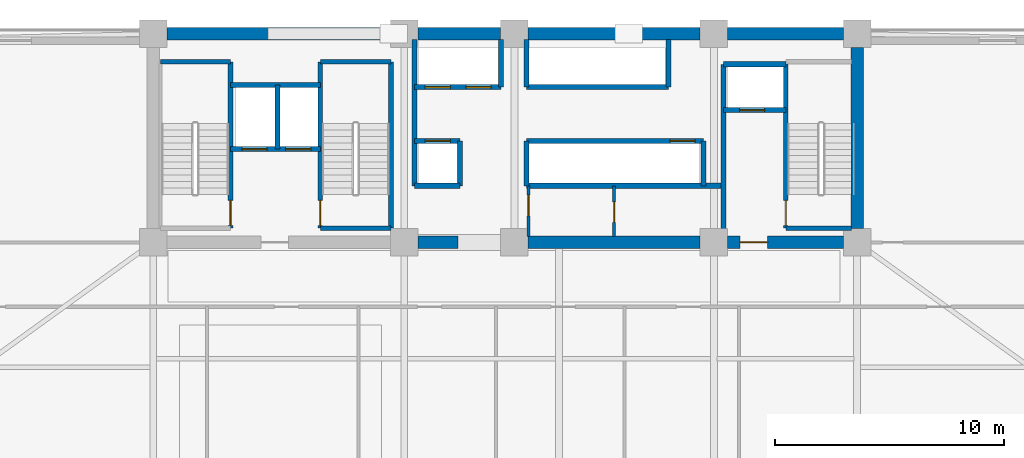
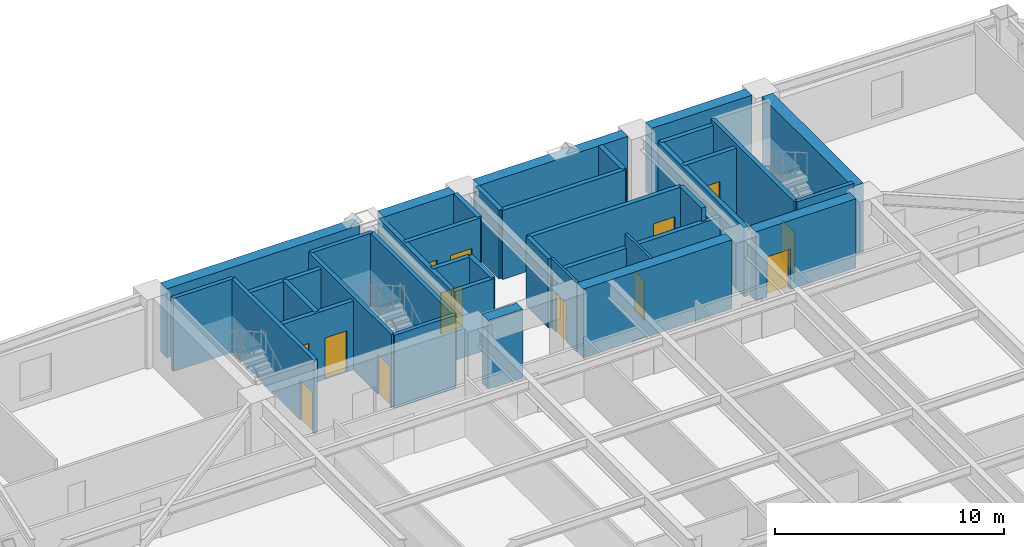
# One storey, part 9 of 15: 37 walls, 13 doors, 13 openings.
"""IFC4 building model written with IfcOpenShell, lengths in metres."""

from ifc_helpers import new_model, si_unit, direction, frame, frame_2d, origin, place, context, subcontext, project, spatial, rectangle, extrude, source, transform, mapped, material, layer, layer_set, type_object, element, fill, save


model = new_model("IFC4")

# Units and contexts
model_context = context("Model", 3, precision=1e-05, world=origin(), true_north=direction((0.0, 1.0)))
body_context = subcontext(model_context, "Body", "Model", "MODEL_VIEW")
ifc_project = project(units=[si_unit("LENGTHUNIT", "METRE"), si_unit("AREAUNIT", "SQUARE_METRE"), si_unit("VOLUMEUNIT", "CUBIC_METRE"), si_unit("PLANEANGLEUNIT", "RADIAN"), si_unit("MASSUNIT", "GRAM", prefix="KILO")], contexts=[model_context])

# Site, building, storey
site_placement = place(None, origin())
site = spatial("IfcSite", under=ifc_project, at=site_placement, CompositionType="ELEMENT")
building_placement = place(site_placement, origin())
building = spatial("IfcBuilding", under=site, at=building_placement, Name="Giltprow Tower", CompositionType="ELEMENT")
storey_placement = place(building_placement, frame((0.0, 0.0, 115.300048828125)))
storey = spatial("IfcBuildingStorey", under=building, at=storey_placement, Name="L28", CompositionType="ELEMENT", Elevation=115.300048828125)

# Wall, openings, doors
ifc_material_1 = material(Name="Concrete C40", Category="concrete")
ifc_layer_1 = layer(ifc_material_1, 0.219970703125, Name="Concrete C40")
ifc_layer_set_1 = layer_set([ifc_layer_1], Name="Concrete C40")
wall_type_1 = type_object("IfcWallType", Name="IW-SHAFT-220", PredefinedType="SOLIDWALL", material=ifc_layer_set_1)
wall_1_placement = place(storey_placement, frame((23.219970703125, 41.52001953125, 0.0), z_axis=(0.0, 0.0, 1.0), x_axis=(1.0, 0.0, 0.0)))
wall_1 = element("IfcWall", 1, at=wall_1_placement, inside=storey, type_object=wall_type_1, Name="L28 FFL1 and Service Lift Front Wall", PredefinedType="SOLIDWALL", context=body_context, shape_type="SweptSolid", body=[
    extrude(rectangle(XDim=3.919921875, YDim=0.219970703125, at=frame_2d((1.9599609375, 0.0))), origin(), (0.0, 0.0, 1.0), 3.679931640625),
])
opening_1_placement = place(wall_1_placement, frame((0.5, 0.0, 0.0)))
opening_1 = element("IfcOpeningElement", 2, at=opening_1_placement, cuts=wall_1, Name="Opening LD-11", PredefinedType="OPENING", context=body_context, shape_type="SweptSolid", body=[
    extrude(rectangle(XDim=1.10009765625, YDim=2.199951171875, at=frame_2d((0.550048828125, 1.10009765625))), frame((0.0, 0.119873046875, 0.0), z_axis=(0.0, -1.0, 0.0), x_axis=(1.0, 0.0, 0.0)), (0.0, 0.0, 1.0), 0.239990234375),
])
opening_2_placement = place(wall_1_placement, frame((2.39990234375, 0.0, 0.0)))
opening_2 = element("IfcOpeningElement", 3, at=opening_2_placement, cuts=wall_1, Name="Opening LD-11", PredefinedType="OPENING", context=body_context, shape_type="SweptSolid", body=[
    extrude(rectangle(XDim=1.10009765625, YDim=2.199951171875, at=frame_2d((0.550048828125, 1.10009765625))), frame((0.0, 0.119873046875, 0.0), z_axis=(0.0, -1.0, 0.0), x_axis=(1.0, 0.0, 0.0)), (0.0, 0.0, 1.0), 0.239990234375),
])
ifc_material_2 = material(Name="Stainless steel", Category="steel")
door_type_1 = type_object("IfcDoorType", Name="DR-LIFT-LD1100", OperationType="SLIDING_TO_LEFT", PredefinedType="DOOR", material=ifc_material_2)
shared_shape_1 = source(origin(), body_context, "Body", "SweptSolid", [
    extrude(rectangle(XDim=1.10009765625, YDim=2.199951171875, at=frame_2d((0.550048828125, 1.10009765625))), frame((0.0, 0.02490234375, 0.0), z_axis=(0.0, -1.0, 0.0), x_axis=(1.0, 0.0, 0.0)), (0.0, 0.0, 1.0), 0.050048828125),
])
door_1_placement = place(opening_1_placement, origin())
door_1 = element("IfcDoor", 4, at=door_1_placement, inside=storey, type_object=door_type_1, Name="L28 FFL1 Landing Door", OperationType="SLIDING_TO_LEFT", OverallHeight=2.199951171875, OverallWidth=1.10009765625, PredefinedType="DOOR", context=body_context, shape_type="MappedRepresentation", body=[
    mapped(shared_shape_1, transform((0.0, 0.0, 0.0), x_axis=(1.0, 0.0, 0.0), y_axis=(0.0, 1.0, 0.0), z_axis=(0.0, 0.0, 1.0), scale=1.0)),
])
fill(opening_1, door_1)
door_2_placement = place(opening_2_placement, origin())
door_2 = element("IfcDoor", 5, at=door_2_placement, inside=storey, type_object=door_type_1, Name="L28 SVL1 Landing Door", OperationType="SLIDING_TO_LEFT", OverallHeight=2.199951171875, OverallWidth=1.10009765625, PredefinedType="DOOR", context=body_context, shape_type="MappedRepresentation", body=[
    mapped(shared_shape_1, transform((0.0, 0.0, 0.0), x_axis=(1.0, 0.0, 0.0), y_axis=(0.0, 1.0, 0.0), z_axis=(0.0, 0.0, 1.0), scale=1.0)),
])
fill(opening_2, door_2)

# Walls
wall_2_placement = place(storey_placement, frame((25.260009765625, 41.52001953125, 0.0), z_axis=(0.0, 0.0, 1.0), x_axis=(0.0, 1.0, 0.0)))
element("IfcWall", 6, at=wall_2_placement, inside=storey, type_object=wall_type_1, Name="L28 FFL1-SVL1 Shaft Divider", PredefinedType="SOLIDWALL", context=body_context, shape_type="SweptSolid", body=[
    extrude(rectangle(XDim=2.800048828125, YDim=0.219970703125, at=frame_2d((1.39990234375, 0.0))), origin(), (0.0, 0.0, 1.0), 3.679931640625),
])
wall_3_placement = place(storey_placement, frame((23.219970703125, 44.320068359375, 0.0), z_axis=(0.0, 0.0, 1.0), x_axis=(1.0, 0.0, 0.0)))
element("IfcWall", 7, at=wall_3_placement, inside=storey, type_object=wall_type_1, Name="L28 FFL1-SVL1 Back Shaft Wall", PredefinedType="SOLIDWALL", context=body_context, shape_type="SweptSolid", body=[
    extrude(rectangle(XDim=3.919921875, YDim=0.219970703125, at=frame_2d((1.9599609375, 0.0))), origin(), (0.0, 0.0, 1.0), 3.679931640625),
])

# Wall, opening, door
wall_4_placement = place(storey_placement, frame((44.719970703125, 43.219970703125, 0.0), z_axis=(0.0, 0.0, 1.0), x_axis=(1.0, 0.0, 0.0)))
wall_4 = element("IfcWall", 8, at=wall_4_placement, inside=storey, type_object=wall_type_1, Name="L28 FFL2 Front Shaft Wall", PredefinedType="SOLIDWALL", context=body_context, shape_type="SweptSolid", body=[
    extrude(rectangle(XDim=2.719970703125, YDim=0.219970703125, at=frame_2d((1.35986328125, 0.0))), origin(), (0.0, 0.0, 1.0), 3.679931640625),
])
opening_3_placement = place(wall_4_placement, frame((0.699951171875, 0.0, 0.0)))
opening_3 = element("IfcOpeningElement", 9, at=opening_3_placement, cuts=wall_4, Name="Opening LD-11", PredefinedType="OPENING", context=body_context, shape_type="SweptSolid", body=[
    extrude(rectangle(XDim=1.10009765625, YDim=2.199951171875, at=frame_2d((0.550048828125, 1.10009765625))), frame((0.0, 0.119873046875, 0.0), z_axis=(0.0, -1.0, 0.0), x_axis=(1.0, 0.0, 0.0)), (0.0, 0.0, 1.0), 0.239990234375),
])
door_3_placement = place(opening_3_placement, origin())
door_3 = element("IfcDoor", 10, at=door_3_placement, inside=storey, type_object=door_type_1, Name="L28 FFL2 Landing Door", OperationType="SLIDING_TO_LEFT", OverallHeight=2.199951171875, OverallWidth=1.10009765625, PredefinedType="DOOR", context=body_context, shape_type="MappedRepresentation", body=[
    mapped(shared_shape_1, transform((0.0, 0.0, 0.0), x_axis=(1.0, 0.0, 0.0), y_axis=(0.0, 1.0, 0.0), z_axis=(0.0, 0.0, 1.0), scale=1.0)),
])
fill(opening_3, door_3)

# Walls
wall_5_placement = place(storey_placement, frame((44.719970703125, 45.219970703125, 0.0), z_axis=(0.0, 0.0, 1.0), x_axis=(1.0, 0.0, 0.0)))
element("IfcWall", 11, at=wall_5_placement, inside=storey, type_object=wall_type_1, Name="L28 FFL2 Back Shaft Wall", PredefinedType="SOLIDWALL", context=body_context, shape_type="SweptSolid", body=[
    extrude(rectangle(XDim=2.719970703125, YDim=0.219970703125, at=frame_2d((1.35986328125, 0.0))), origin(), (0.0, 0.0, 1.0), 3.679931640625),
])
wall_6_placement = place(storey_placement, frame((44.719970703125, 37.705078125, 0.0), z_axis=(0.0, 0.0, 1.0), x_axis=(0.0, 1.0, 0.0)))
element("IfcWall", 12, at=wall_6_placement, inside=storey, type_object=wall_type_1, Name="L28 East Firefighting Lobby West Wall", PredefinedType="SOLIDWALL", context=body_context, shape_type="SweptSolid", body=[
    extrude(rectangle(XDim=7.514892578125, YDim=0.219970703125, at=frame_2d((3.75732421875, 0.0))), origin(), (0.0, 0.0, 1.0), 3.679931640625),
])

# Wall, openings, doors
wall_7_placement = place(storey_placement, frame((31.25, 44.219970703125, 0.0), z_axis=(0.0, 0.0, 1.0), x_axis=(1.0, 0.0, 0.0)))
wall_7 = element("IfcWall", 13, at=wall_7_placement, inside=storey, type_object=wall_type_1, Name="L28 North West Lift Shaft Front Wall", PredefinedType="SOLIDWALL", context=body_context, shape_type="SweptSolid", body=[
    extrude(rectangle(XDim=3.77001953125, YDim=0.219970703125, at=frame_2d((1.885009765625, 0.0))), origin(), (0.0, 0.0, 1.0), 3.679931640625),
])
opening_4_placement = place(wall_7_placement, frame((0.4599609375, 0.0, 0.0)))
opening_4 = element("IfcOpeningElement", 14, at=opening_4_placement, cuts=wall_7, Name="Opening LD-11", PredefinedType="OPENING", context=body_context, shape_type="SweptSolid", body=[
    extrude(rectangle(XDim=1.10009765625, YDim=2.199951171875, at=frame_2d((0.550048828125, 1.10009765625))), frame((0.0, 0.119873046875, 0.0), z_axis=(0.0, -1.0, 0.0), x_axis=(1.0, 0.0, 0.0)), (0.0, 0.0, 1.0), 0.239990234375),
])
opening_5_placement = place(wall_7_placement, frame((2.239990234375, 0.0, 0.0)))
opening_5 = element("IfcOpeningElement", 15, at=opening_5_placement, cuts=wall_7, Name="Opening LD-11", PredefinedType="OPENING", context=body_context, shape_type="SweptSolid", body=[
    extrude(rectangle(XDim=1.10009765625, YDim=2.199951171875, at=frame_2d((0.550048828125, 1.10009765625))), frame((0.0, 0.119873046875, 0.0), z_axis=(0.0, -1.0, 0.0), x_axis=(1.0, 0.0, 0.0)), (0.0, 0.0, 1.0), 0.239990234375),
])
door_4_placement = place(opening_4_placement, origin())
door_4 = element("IfcDoor", 16, at=door_4_placement, inside=storey, type_object=door_type_1, Name="L28 PL-L1 Landing Door", OperationType="SLIDING_TO_LEFT", OverallHeight=2.199951171875, OverallWidth=1.10009765625, PredefinedType="DOOR", context=body_context, shape_type="MappedRepresentation", body=[
    mapped(shared_shape_1, transform((0.0, 0.0, 0.0), x_axis=(1.0, 0.0, 0.0), y_axis=(0.0, 1.0, 0.0), z_axis=(0.0, 0.0, 1.0), scale=1.0)),
])
fill(opening_4, door_4)
door_5_placement = place(opening_5_placement, origin())
door_5 = element("IfcDoor", 17, at=door_5_placement, inside=storey, type_object=door_type_1, Name="L28 PL-L2 Landing Door", OperationType="SLIDING_TO_LEFT", OverallHeight=2.199951171875, OverallWidth=1.10009765625, PredefinedType="DOOR", context=body_context, shape_type="MappedRepresentation", body=[
    mapped(shared_shape_1, transform((0.0, 0.0, 0.0), x_axis=(1.0, 0.0, 0.0), y_axis=(0.0, 1.0, 0.0), z_axis=(0.0, 0.0, 1.0), scale=1.0)),
])
fill(opening_5, door_5)

# Walls
wall_8_placement = place(storey_placement, frame((36.1201171875, 44.219970703125, 0.0), z_axis=(0.0, 0.0, 1.0), x_axis=(1.0, 0.0, 0.0)))
element("IfcWall", 18, at=wall_8_placement, inside=storey, type_object=wall_type_1, Name="L28 North East Lift Shaft Front Wall", PredefinedType="SOLIDWALL", context=body_context, shape_type="SweptSolid", body=[
    extrude(rectangle(XDim=6.199951171875, YDim=0.219970703125, at=frame_2d((3.10009765625, 0.0))), origin(), (0.0, 0.0, 1.0), 3.679931640625),
])
for number, where, z_axis, x_axis, name in (
    (19, (35.02001953125, 44.219970703125, 0.0), (0.0, 0.0, 1.0), (0.0, 1.0, 0.0), "L28 North West Lift Shaft East Closure"),
    (20, (36.1201171875, 44.219970703125, 0.0), (0.0, 0.0, 1.0), (0.0, 1.0, 0.0), "L28 North East Lift Shaft West Closure"),
    (21, (42.320068359375, 44.219970703125, 0.0), (0.0, 0.0, 1.0), (0.0, 1.0, 0.0), "L28 North East Lift Shaft East Closure"),
):
    element("IfcWall", number, at=place(storey_placement, frame(where, z_axis=z_axis, x_axis=x_axis)), inside=storey, type_object=wall_type_1, Name=name, PredefinedType="SOLIDWALL", context=body_context, shape_type="SweptSolid", body=[
        extrude(rectangle(XDim=2.074951171875, YDim=0.219970703125, at=frame_2d((1.03759765625, 0.0))), origin(), (0.0, 0.0, 1.0), 3.679931640625),
    ])

# Wall, opening, door
wall_9_placement = place(storey_placement, frame((31.25, 41.8798828125, 0.0), z_axis=(0.0, 0.0, 1.0), x_axis=(1.0, 0.0, 0.0)))
wall_9 = element("IfcWall", 22, at=wall_9_placement, inside=storey, type_object=wall_type_1, Name="L28 South West Lift Shaft Front Wall", PredefinedType="SOLIDWALL", context=body_context, shape_type="SweptSolid", body=[
    extrude(rectangle(XDim=1.969970703125, YDim=0.219970703125, at=frame_2d((0.98486328125, 0.0))), origin(), (0.0, 0.0, 1.0), 3.679931640625),
])
opening_6_placement = place(wall_9_placement, frame((0.4599609375, 0.0, 0.0)))
opening_6 = element("IfcOpeningElement", 23, at=opening_6_placement, cuts=wall_9, Name="Opening LD-11", PredefinedType="OPENING", context=body_context, shape_type="SweptSolid", body=[
    extrude(rectangle(XDim=1.10009765625, YDim=2.199951171875, at=frame_2d((0.550048828125, 1.10009765625))), frame((0.0, 0.119873046875, 0.0), z_axis=(0.0, -1.0, 0.0), x_axis=(1.0, 0.0, 0.0)), (0.0, 0.0, 1.0), 0.239990234375),
])
door_6_placement = place(opening_6_placement, origin())
door_6 = element("IfcDoor", 24, at=door_6_placement, inside=storey, type_object=door_type_1, Name="L28 PL-L3 Landing Door", OperationType="SLIDING_TO_LEFT", OverallHeight=2.199951171875, OverallWidth=1.10009765625, PredefinedType="DOOR", context=body_context, shape_type="MappedRepresentation", body=[
    mapped(shared_shape_1, transform((0.0, 0.0, 0.0), x_axis=(1.0, 0.0, 0.0), y_axis=(0.0, 1.0, 0.0), z_axis=(0.0, 0.0, 1.0), scale=1.0)),
])
fill(opening_6, door_6)

wall_10_placement = place(storey_placement, frame((36.1201171875, 41.8798828125, 0.0), z_axis=(0.0, 0.0, 1.0), x_axis=(1.0, 0.0, 0.0)))
wall_10 = element("IfcWall", 25, at=wall_10_placement, inside=storey, type_object=wall_type_1, Name="L28 South East Lift Shaft Front Wall", PredefinedType="SOLIDWALL", context=body_context, shape_type="SweptSolid", body=[
    extrude(rectangle(XDim=7.72998046875, YDim=0.219970703125, at=frame_2d((3.864990234375, 0.0))), origin(), (0.0, 0.0, 1.0), 3.679931640625),
])
opening_7_placement = place(wall_10_placement, frame((6.260009765625, 0.0, 0.0)))
opening_7 = element("IfcOpeningElement", 26, at=opening_7_placement, cuts=wall_10, Name="Opening LD-11", PredefinedType="OPENING", context=body_context, shape_type="SweptSolid", body=[
    extrude(rectangle(XDim=1.10009765625, YDim=2.199951171875, at=frame_2d((0.550048828125, 1.10009765625))), frame((0.0, 0.119873046875, 0.0), z_axis=(0.0, -1.0, 0.0), x_axis=(1.0, 0.0, 0.0)), (0.0, 0.0, 1.0), 0.239990234375),
])
door_7_placement = place(opening_7_placement, origin())
door_7 = element("IfcDoor", 27, at=door_7_placement, inside=storey, type_object=door_type_1, Name="L28 PL-L4 Landing Door", OperationType="SLIDING_TO_LEFT", OverallHeight=2.199951171875, OverallWidth=1.10009765625, PredefinedType="DOOR", context=body_context, shape_type="MappedRepresentation", body=[
    mapped(shared_shape_1, transform((0.0, 0.0, 0.0), x_axis=(1.0, 0.0, 0.0), y_axis=(0.0, 1.0, 0.0), z_axis=(0.0, 0.0, 1.0), scale=1.0)),
])
fill(opening_7, door_7)

# Walls
wall_11_placement = place(storey_placement, frame((31.25, 39.919921875, 0.0), z_axis=(0.0, 0.0, 1.0), x_axis=(1.0, 0.0, 0.0)))
element("IfcWall", 28, at=wall_11_placement, inside=storey, type_object=wall_type_1, Name="L28 Low-Rise South Lift Back Wall", PredefinedType="SOLIDWALL", context=body_context, shape_type="SweptSolid", body=[
    extrude(rectangle(XDim=1.969970703125, YDim=0.219970703125, at=frame_2d((0.98486328125, 0.0))), origin(), (0.0, 0.0, 1.0), 3.679931640625),
])
wall_12_placement = place(storey_placement, frame((33.219970703125, 39.919921875, 0.0), z_axis=(0.0, 0.0, 1.0), x_axis=(0.0, 1.0, 0.0)))
element("IfcWall", 29, at=wall_12_placement, inside=storey, type_object=wall_type_1, Name="L28 Low-Rise South Lift East Closure", PredefinedType="SOLIDWALL", context=body_context, shape_type="SweptSolid", body=[
    extrude(rectangle(XDim=1.9599609375, YDim=0.219970703125, at=frame_2d((0.97998046875, 0.0))), origin(), (0.0, 0.0, 1.0), 3.679931640625),
])
wall_13_placement = place(storey_placement, frame((36.1201171875, 39.919921875, 0.0), z_axis=(0.0, 0.0, 1.0), x_axis=(1.0, 0.0, 0.0)))
element("IfcWall", 30, at=wall_13_placement, inside=storey, type_object=wall_type_1, Name="L28 Express South Shaft Back Wall", PredefinedType="SOLIDWALL", context=body_context, shape_type="SweptSolid", body=[
    extrude(rectangle(XDim=8.599853515625, YDim=0.219970703125, at=frame_2d((4.2998046875, 0.0))), origin(), (0.0, 0.0, 1.0), 2.96484375),
])
wall_14_placement = place(storey_placement, frame((36.1201171875, 39.919921875, 0.0), z_axis=(0.0, 0.0, 1.0), x_axis=(0.0, 1.0, 0.0)))
element("IfcWall", 31, at=wall_14_placement, inside=storey, type_object=wall_type_1, Name="L28 Express South Shaft West Closure", PredefinedType="SOLIDWALL", context=body_context, shape_type="SweptSolid", body=[
    extrude(rectangle(XDim=1.9599609375, YDim=0.219970703125, at=frame_2d((0.97998046875, 0.0))), origin(), (0.0, 0.0, 1.0), 3.679931640625),
])
wall_15_placement = place(storey_placement, frame((31.25, 39.919921875, 0.0), z_axis=(0.0, 0.0, 1.0), x_axis=(0.0, 1.0, 0.0)))
element("IfcWall", 32, at=wall_15_placement, inside=storey, type_object=wall_type_1, Name="L28 Lift Bank West Closure", PredefinedType="SOLIDWALL", context=body_context, shape_type="SweptSolid", body=[
    extrude(rectangle(XDim=6.375, YDim=0.219970703125, at=frame_2d((3.1875, 0.0))), origin(), (0.0, 0.0, 1.0), 3.679931640625),
])
wall_16_placement = place(storey_placement, frame((43.85009765625, 39.919921875, 0.0), z_axis=(0.0, 0.0, 1.0), x_axis=(0.0, 1.0, 0.0)))
element("IfcWall", 33, at=wall_16_placement, inside=storey, type_object=wall_type_1, Name="L28 Lift Bank South-East Closure", PredefinedType="SOLIDWALL", context=body_context, shape_type="SweptSolid", body=[
    extrude(rectangle(XDim=1.9599609375, YDim=0.219970703125, at=frame_2d((0.97998046875, 0.0))), origin(), (0.0, 0.0, 1.0), 3.679931640625),
])

# Wall, opening, door
ifc_layer_2 = layer(ifc_material_1, 0.199951171875, Name="Concrete C40")
ifc_layer_set_2 = layer_set([ifc_layer_2], Name="Concrete C40")
wall_type_2 = type_object("IfcWallType", Name="IW-STAIR-200", PredefinedType="SOLIDWALL", material=ifc_layer_set_2)
wall_17_placement = place(storey_placement, frame((23.219970703125, 38.070068359375, 0.0), z_axis=(0.0, 0.0, 1.0), x_axis=(0.0, 1.0, 0.0)))
wall_17 = element("IfcWall", 34, at=wall_17_placement, inside=storey, type_object=wall_type_2, Name="L28 Stair ST-1 East Bearing Wall", PredefinedType="SOLIDWALL", context=body_context, shape_type="SweptSolid", body=[
    extrude(rectangle(XDim=7.25, YDim=0.199951171875, at=frame_2d((3.625, 0.0))), origin(), (0.0, 0.0, 1.0), 3.89990234375),
])
opening_8_placement = place(wall_17_placement, frame((0.110107421875, 0.0, 0.0)))
opening_8 = element("IfcOpeningElement", 35, at=opening_8_placement, cuts=wall_17, Name="Opening ID33", PredefinedType="OPENING", context=body_context, shape_type="SweptSolid", body=[
    extrude(rectangle(XDim=1.10009765625, YDim=2.14990234375, at=frame_2d((0.550048828125, 1.074951171875))), frame((0.0, 0.10986328125, 0.0), z_axis=(0.0, -1.0, 0.0), x_axis=(1.0, 0.0, 0.0)), (0.0, 0.0, 1.0), 0.219970703125),
])
ifc_material_3 = material(Name="Steel fire leaf", Category="steel")
door_type_2 = type_object("IfcDoorType", Name="DR-STAIR-1100", OperationType="SINGLE_SWING_LEFT", PredefinedType="DOOR", material=ifc_material_3)
shared_shape_2 = source(origin(), body_context, "Body", "SweptSolid", [
    extrude(rectangle(XDim=1.10009765625, YDim=2.14990234375, at=frame_2d((0.550048828125, 1.074951171875))), frame((0.0, 0.02490234375, 0.0), z_axis=(0.0, -1.0, 0.0), x_axis=(1.0, 0.0, 0.0)), (0.0, 0.0, 1.0), 0.050048828125),
])
door_8_placement = place(opening_8_placement, origin())
door_8 = element("IfcDoor", 36, at=door_8_placement, inside=storey, type_object=door_type_2, Name="L28 Stair ST-1 Fire Door", OperationType="SINGLE_SWING_RIGHT", OverallHeight=2.14990234375, OverallWidth=1.10009765625, PredefinedType="DOOR", context=body_context, shape_type="MappedRepresentation", body=[
    mapped(shared_shape_2, transform((0.0, 0.0, 0.0), x_axis=(1.0, 0.0, 0.0), y_axis=(0.0, 1.0, 0.0), z_axis=(0.0, 0.0, 1.0), scale=1.0)),
])
fill(opening_8, door_8)

# Wall
wall_18_placement = place(storey_placement, frame((20.169921875, 45.320068359375, 0.0), z_axis=(0.0, 0.0, 1.0), x_axis=(1.0, 0.0, 0.0)))
element("IfcWall", 37, at=wall_18_placement, inside=storey, type_object=wall_type_2, Name="L28 Stair ST-1 North Bearing Wall", PredefinedType="SOLIDWALL", context=body_context, shape_type="SweptSolid", body=[
    extrude(rectangle(XDim=3.050048828125, YDim=0.199951171875, at=frame_2d((1.52490234375, 0.0))), origin(), (0.0, 0.0, 1.0), 3.89990234375),
])

# Wall, opening, door
wall_19_placement = place(storey_placement, frame((27.139892578125, 38.070068359375, 0.0), z_axis=(0.0, 0.0, 1.0), x_axis=(0.0, 1.0, 0.0)))
wall_19 = element("IfcWall", 38, at=wall_19_placement, inside=storey, type_object=wall_type_2, Name="L28 Stair ST-2 West Bearing Wall", PredefinedType="SOLIDWALL", context=body_context, shape_type="SweptSolid", body=[
    extrude(rectangle(XDim=7.25, YDim=0.199951171875, at=frame_2d((3.625, 0.0))), origin(), (0.0, 0.0, 1.0), 3.89990234375),
])
opening_9_placement = place(wall_19_placement, frame((0.110107421875, 0.0, 0.0)))
opening_9 = element("IfcOpeningElement", 39, at=opening_9_placement, cuts=wall_19, Name="Opening ID33", PredefinedType="OPENING", context=body_context, shape_type="SweptSolid", body=[
    extrude(rectangle(XDim=1.10009765625, YDim=2.14990234375, at=frame_2d((0.550048828125, 1.074951171875))), frame((0.0, 0.10986328125, 0.0), z_axis=(0.0, -1.0, 0.0), x_axis=(1.0, 0.0, 0.0)), (0.0, 0.0, 1.0), 0.219970703125),
])
door_9_placement = place(opening_9_placement, origin())
door_9 = element("IfcDoor", 40, at=door_9_placement, inside=storey, type_object=door_type_2, Name="L28 Stair ST-2 Fire Door", OperationType="SINGLE_SWING_LEFT", OverallHeight=2.14990234375, OverallWidth=1.10009765625, PredefinedType="DOOR", context=body_context, shape_type="MappedRepresentation", body=[
    mapped(shared_shape_2, transform((0.0, 0.0, 0.0), x_axis=(1.0, 0.0, 0.0), y_axis=(0.0, 1.0, 0.0), z_axis=(0.0, 0.0, 1.0), scale=1.0)),
])
fill(opening_9, door_9)

# Walls
wall_20_placement = place(storey_placement, frame((30.219970703125, 38.070068359375, 0.0), z_axis=(0.0, 0.0, 1.0), x_axis=(0.0, 1.0, 0.0)))
element("IfcWall", 41, at=wall_20_placement, inside=storey, type_object=wall_type_2, Name="L28 Stair ST-2 East Bearing Wall", PredefinedType="SOLIDWALL", context=body_context, shape_type="SweptSolid", body=[
    extrude(rectangle(XDim=7.25, YDim=0.199951171875, at=frame_2d((3.625, 0.0))), origin(), (0.0, 0.0, 1.0), 3.89990234375),
])
for number, where, z_axis, x_axis, name in (
    (42, (27.139892578125, 45.320068359375, 0.0), (0.0, 0.0, 1.0), (1.0, 0.0, 0.0), "L28 Stair ST-2 North Bearing Wall"),
    (43, (27.139892578125, 38.070068359375, 0.0), (0.0, 0.0, 1.0), (1.0, 0.0, 0.0), "L28 Stair ST-2 South Bearing Wall"),
):
    element("IfcWall", number, at=place(storey_placement, frame(where, z_axis=z_axis, x_axis=x_axis)), inside=storey, type_object=wall_type_2, Name=name, PredefinedType="SOLIDWALL", context=body_context, shape_type="SweptSolid", body=[
        extrude(rectangle(XDim=3.080078125, YDim=0.199951171875, at=frame_2d((1.5400390625, 0.0))), origin(), (0.0, 0.0, 1.0), 3.89990234375),
    ])

# Wall, opening, door
wall_21_placement = place(storey_placement, frame((47.43994140625, 38.070068359375, 0.0), z_axis=(0.0, 0.0, 1.0), x_axis=(0.0, 1.0, 0.0)))
wall_21 = element("IfcWall", 44, at=wall_21_placement, inside=storey, type_object=wall_type_2, Name="L28 Stair ST-3 West Bearing Wall", PredefinedType="SOLIDWALL", context=body_context, shape_type="SweptSolid", body=[
    extrude(rectangle(XDim=7.25, YDim=0.199951171875, at=frame_2d((3.625, 0.0))), origin(), (0.0, 0.0, 1.0), 3.89990234375),
])
opening_10_placement = place(wall_21_placement, frame((0.110107421875, 0.0, 0.0)))
opening_10 = element("IfcOpeningElement", 45, at=opening_10_placement, cuts=wall_21, Name="Opening ID33", PredefinedType="OPENING", context=body_context, shape_type="SweptSolid", body=[
    extrude(rectangle(XDim=1.10009765625, YDim=2.14990234375, at=frame_2d((0.550048828125, 1.074951171875))), frame((0.0, 0.10986328125, 0.0), z_axis=(0.0, -1.0, 0.0), x_axis=(1.0, 0.0, 0.0)), (0.0, 0.0, 1.0), 0.219970703125),
])
door_10_placement = place(opening_10_placement, origin())
door_10 = element("IfcDoor", 46, at=door_10_placement, inside=storey, type_object=door_type_2, Name="L28 Stair ST-3 Fire Door", OperationType="SINGLE_SWING_RIGHT", OverallHeight=2.14990234375, OverallWidth=1.10009765625, PredefinedType="DOOR", context=body_context, shape_type="MappedRepresentation", body=[
    mapped(shared_shape_2, transform((0.0, 0.0, 0.0), x_axis=(1.0, 0.0, 0.0), y_axis=(0.0, 1.0, 0.0), z_axis=(0.0, 0.0, 1.0), scale=1.0)),
])
fill(opening_10, door_10)

# Wall
wall_22_placement = place(storey_placement, frame((47.43994140625, 38.070068359375, 0.0), z_axis=(0.0, 0.0, 1.0), x_axis=(1.0, 0.0, 0.0)))
element("IfcWall", 47, at=wall_22_placement, inside=storey, type_object=wall_type_2, Name="L28 Stair ST-3 South Bearing Wall", PredefinedType="SOLIDWALL", context=body_context, shape_type="SweptSolid", body=[
    extrude(rectangle(XDim=2.85498046875, YDim=0.199951171875, at=frame_2d((1.427490234375, 0.0))), origin(), (0.0, 0.0, 1.0), 3.89990234375),
])

# Wall, opening, door
ifc_material_4 = material(Name="Concrete C30", Category="concrete")
ifc_layer_3 = layer(ifc_material_4, 0.1298828125, Name="Concrete C30")
ifc_layer_set_3 = layer_set([ifc_layer_3], Name="Concrete C30")
wall_type_3 = type_object("IfcWallType", Name="IW-WET-130", PredefinedType="PARTITIONING", material=ifc_layer_set_3)
wall_23_placement = place(storey_placement, frame((36.219970703125, 37.705078125, 0.0), z_axis=(0.0, 0.0, 1.0), x_axis=(0.0, 1.0, 0.0)))
wall_23 = element("IfcWall", 48, at=wall_23_placement, inside=storey, type_object=wall_type_3, Name="L28 Core Suite West Wall", PredefinedType="PARTITIONING", context=body_context, shape_type="SweptSolid", body=[
    extrude(rectangle(XDim=2.21484375, YDim=0.1298828125, at=frame_2d((1.107421875, 0.0))), origin(), (0.0, 0.0, 1.0), 3.679931640625),
])
opening_11_placement = place(wall_23_placement, frame((0.905029296875, 0.0, 0.0)))
opening_11 = element("IfcOpeningElement", 49, at=opening_11_placement, cuts=wall_23, Name="Opening ID35", PredefinedType="OPENING", context=body_context, shape_type="SweptSolid", body=[
    extrude(rectangle(XDim=0.89990234375, YDim=2.10009765625, at=frame_2d((0.449951171875, 1.050048828125))), frame((0.0, 0.074951171875, 0.0), z_axis=(0.0, -1.0, 0.0), x_axis=(1.0, 0.0, 0.0)), (0.0, 0.0, 1.0), 0.14990234375),
])
door_type_3 = type_object("IfcDoorType", Name="DR-SHAFT-900", OperationType="SINGLE_SWING_LEFT", PredefinedType="DOOR", material=ifc_material_3)
shared_shape_3 = source(origin(), body_context, "Body", "SweptSolid", [
    extrude(rectangle(XDim=0.89990234375, YDim=2.10009765625, at=frame_2d((0.449951171875, 1.050048828125))), frame((0.0, 0.02490234375, 0.0), z_axis=(0.0, -1.0, 0.0), x_axis=(1.0, 0.0, 0.0)), (0.0, 0.0, 1.0), 0.050048828125),
])
door_11_placement = place(opening_11_placement, origin())
door_11 = element("IfcDoor", 50, at=door_11_placement, inside=storey, type_object=door_type_3, Name="L28 Core Powder Room Door", OperationType="SINGLE_SWING_RIGHT", OverallHeight=2.10009765625, OverallWidth=0.89990234375, PredefinedType="DOOR", context=body_context, shape_type="MappedRepresentation", body=[
    mapped(shared_shape_3, transform((0.0, 0.0, 0.0), x_axis=(1.0, 0.0, 0.0), y_axis=(0.0, 1.0, 0.0), z_axis=(0.0, 0.0, 1.0), scale=1.0)),
])
fill(opening_11, door_11)

wall_24_placement = place(storey_placement, frame((39.949951171875, 37.705078125, 0.0), z_axis=(0.0, 0.0, 1.0), x_axis=(0.0, 1.0, 0.0)))
wall_24 = element("IfcWall", 51, at=wall_24_placement, inside=storey, type_object=wall_type_3, Name="L28 Core Suite Divider", PredefinedType="PARTITIONING", context=body_context, shape_type="SweptSolid", body=[
    extrude(rectangle(XDim=2.21484375, YDim=0.1298828125, at=frame_2d((1.107421875, 0.0))), origin(), (0.0, 0.0, 1.0), 3.679931640625),
])
opening_12_placement = place(wall_24_placement, frame((0.614990234375, 0.0, 0.0)))
opening_12 = element("IfcOpeningElement", 52, at=opening_12_placement, cuts=wall_24, Name="Opening ID35", PredefinedType="OPENING", context=body_context, shape_type="SweptSolid", body=[
    extrude(rectangle(XDim=0.89990234375, YDim=2.10009765625, at=frame_2d((0.449951171875, 1.050048828125))), frame((0.0, 0.074951171875, 0.0), z_axis=(0.0, -1.0, 0.0), x_axis=(1.0, 0.0, 0.0)), (0.0, 0.0, 1.0), 0.14990234375),
])
door_12_placement = place(opening_12_placement, origin())
door_12 = element("IfcDoor", 53, at=door_12_placement, inside=storey, type_object=door_type_3, Name="L28 Core Pantry Closet Door", OperationType="SINGLE_SWING_RIGHT", OverallHeight=2.10009765625, OverallWidth=0.89990234375, PredefinedType="DOOR", context=body_context, shape_type="MappedRepresentation", body=[
    mapped(shared_shape_3, transform((0.0, 0.0, 0.0), x_axis=(1.0, 0.0, 0.0), y_axis=(0.0, 1.0, 0.0), z_axis=(0.0, 0.0, 1.0), scale=1.0)),
])
fill(opening_12, door_12)

# Walls
ifc_material_5 = material(Name="Concrete C60", Category="concrete")
ifc_layer_4 = layer(ifc_material_5, 0.550048828125, Name="Concrete C60")
ifc_layer_set_4 = layer_set([ifc_layer_4], Name="Concrete C60")
wall_type_4 = type_object("IfcWallType", Name="SW-EXT-550-C60", PredefinedType="SHEAR", material=ifc_layer_set_4)
wall_25_placement = place(storey_placement, frame((20.449951171875, 46.550048828125, 0.0), z_axis=(0.0, 0.0, 1.0), x_axis=(1.0, 0.0, 0.0)))
element("IfcWall", 54, at=wall_25_placement, inside=storey, type_object=wall_type_4, Name="L28 North Rear Core Shear Wall 1", PredefinedType="SHEAR", context=body_context, shape_type="SweptSolid", body=[
    extrude(rectangle(XDim=9.75, YDim=0.550048828125, at=frame_2d((4.875, 0.0))), origin(), (0.0, 0.0, 1.0), 3.679931640625),
])
wall_26_placement = place(storey_placement, frame((31.39990234375, 46.550048828125, 0.0), z_axis=(0.0, 0.0, 1.0), x_axis=(1.0, 0.0, 0.0)))
element("IfcWall", 55, at=wall_26_placement, inside=storey, type_object=wall_type_4, Name="L28 North Rear Core Shear Wall 2", PredefinedType="SHEAR", context=body_context, shape_type="SweptSolid", body=[
    extrude(rectangle(XDim=3.60009765625, YDim=0.550048828125, at=frame_2d((1.800048828125, 0.0))), origin(), (0.0, 0.0, 1.0), 3.679931640625),
])
wall_27_placement = place(storey_placement, frame((36.199951171875, 46.550048828125, 0.0), z_axis=(0.0, 0.0, 1.0), x_axis=(1.0, 0.0, 0.0)))
element("IfcWall", 56, at=wall_27_placement, inside=storey, type_object=wall_type_4, Name="L28 North Rear Core Shear Wall 3", PredefinedType="SHEAR", context=body_context, shape_type="SweptSolid", body=[
    extrude(rectangle(XDim=7.5, YDim=0.550048828125, at=frame_2d((3.75, 0.0))), origin(), (0.0, 0.0, 1.0), 3.679931640625),
])
wall_28_placement = place(storey_placement, frame((44.89990234375, 46.550048828125, 0.0), z_axis=(0.0, 0.0, 1.0), x_axis=(1.0, 0.0, 0.0)))
element("IfcWall", 57, at=wall_28_placement, inside=storey, type_object=wall_type_4, Name="L28 North Rear Core Shear Wall 4", PredefinedType="SHEAR", context=body_context, shape_type="SweptSolid", body=[
    extrude(rectangle(XDim=5.050048828125, YDim=0.550048828125, at=frame_2d((2.52490234375, 0.0))), origin(), (0.0, 0.0, 1.0), 3.679931640625),
])
ifc_layer_5 = layer(ifc_material_5, 0.550048828125, Name="Concrete C60")
ifc_layer_set_5 = layer_set([ifc_layer_5], Name="Concrete C60")
wall_type_5 = type_object("IfcWallType", Name="SW-INT-550-C60", PredefinedType="SHEAR", material=ifc_layer_set_5)
wall_29_placement = place(storey_placement, frame((31.39990234375, 37.449951171875, 0.0), z_axis=(0.0, 0.0, 1.0), x_axis=(1.0, 0.0, 0.0)))
element("IfcWall", 58, at=wall_29_placement, inside=storey, type_object=wall_type_5, Name="L28 South Rear Core Shear Wall Mid-West", PredefinedType="SHEAR", context=body_context, shape_type="SweptSolid", body=[
    extrude(rectangle(XDim=1.75, YDim=0.550048828125, at=frame_2d((0.875, 0.0))), origin(), (0.0, 0.0, 1.0), 3.679931640625),
])
wall_30_placement = place(storey_placement, frame((36.199951171875, 37.449951171875, 0.0), z_axis=(0.0, 0.0, 1.0), x_axis=(1.0, 0.0, 0.0)))
element("IfcWall", 59, at=wall_30_placement, inside=storey, type_object=wall_type_5, Name="L28 South Rear Core Shear Wall Mid-East", PredefinedType="SHEAR", context=body_context, shape_type="SweptSolid", body=[
    extrude(rectangle(XDim=7.5, YDim=0.550048828125, at=frame_2d((3.75, 0.0))), origin(), (0.0, 0.0, 1.0), 3.679931640625),
])

# Wall, opening, door
wall_31_placement = place(storey_placement, frame((44.89990234375, 37.449951171875, 0.0), z_axis=(0.0, 0.0, 1.0), x_axis=(1.0, 0.0, 0.0)))
wall_31 = element("IfcWall", 60, at=wall_31_placement, inside=storey, type_object=wall_type_5, Name="L28 South Rear Core Shear Wall East", PredefinedType="SHEAR", context=body_context, shape_type="SweptSolid", body=[
    extrude(rectangle(XDim=5.050048828125, YDim=0.550048828125, at=frame_2d((2.52490234375, 0.0))), origin(), (0.0, 0.0, 1.0), 3.679931640625),
])
opening_13_placement = place(wall_31_placement, frame((0.550048828125, 0.0, 0.0)))
opening_13 = element("IfcOpeningElement", 61, at=opening_13_placement, cuts=wall_31, Name="Opening ID19", PredefinedType="OPENING", context=body_context, shape_type="SweptSolid", body=[
    extrude(rectangle(XDim=1.199951171875, YDim=2.14990234375, at=frame_2d((0.60009765625, 1.074951171875))), frame((0.0, 0.284912109375, 0.0), z_axis=(0.0, -1.0, 0.0), x_axis=(1.0, 0.0, 0.0)), (0.0, 0.0, 1.0), 0.570068359375),
])
door_type_4 = type_object("IfcDoorType", Name="DR-FFLOBBY-1200", OperationType="SINGLE_SWING_RIGHT", PredefinedType="DOOR", material=ifc_material_3)
shared_shape_4 = source(origin(), body_context, "Body", "SweptSolid", [
    extrude(rectangle(XDim=1.199951171875, YDim=2.14990234375, at=frame_2d((0.60009765625, 1.074951171875))), frame((0.0, 0.02490234375, 0.0), z_axis=(0.0, -1.0, 0.0), x_axis=(1.0, 0.0, 0.0)), (0.0, 0.0, 1.0), 0.050048828125),
])
door_13_placement = place(opening_13_placement, origin())
door_13 = element("IfcDoor", 62, at=door_13_placement, inside=storey, type_object=door_type_4, Name="L28 East Firefighting Lobby Entry Door", OperationType="SINGLE_SWING_RIGHT", OverallHeight=2.14990234375, OverallWidth=1.199951171875, PredefinedType="DOOR", context=body_context, shape_type="MappedRepresentation", body=[
    mapped(shared_shape_4, transform((0.0, 0.0, 0.0), x_axis=(1.0, 0.0, 0.0), y_axis=(0.0, 1.0, 0.0), z_axis=(0.0, 0.0, 1.0), scale=1.0)),
])
fill(opening_13, door_13)

# Wall
wall_32_placement = place(storey_placement, frame((50.550048828125, 38.050048828125, 0.0), z_axis=(0.0, 0.0, 1.0), x_axis=(0.0, 1.0, 0.0)))
element("IfcWall", 63, at=wall_32_placement, inside=storey, type_object=wall_type_5, Name="L28 E Rear Core Shear Wall", PredefinedType="SHEAR", context=body_context, shape_type="SweptSolid", body=[
    extrude(rectangle(XDim=7.89990234375, YDim=0.550048828125, at=frame_2d((3.949951171875, 0.0))), origin(), (0.0, 0.0, 1.0), 3.679931640625),
])

save(model, "model.ifc")
